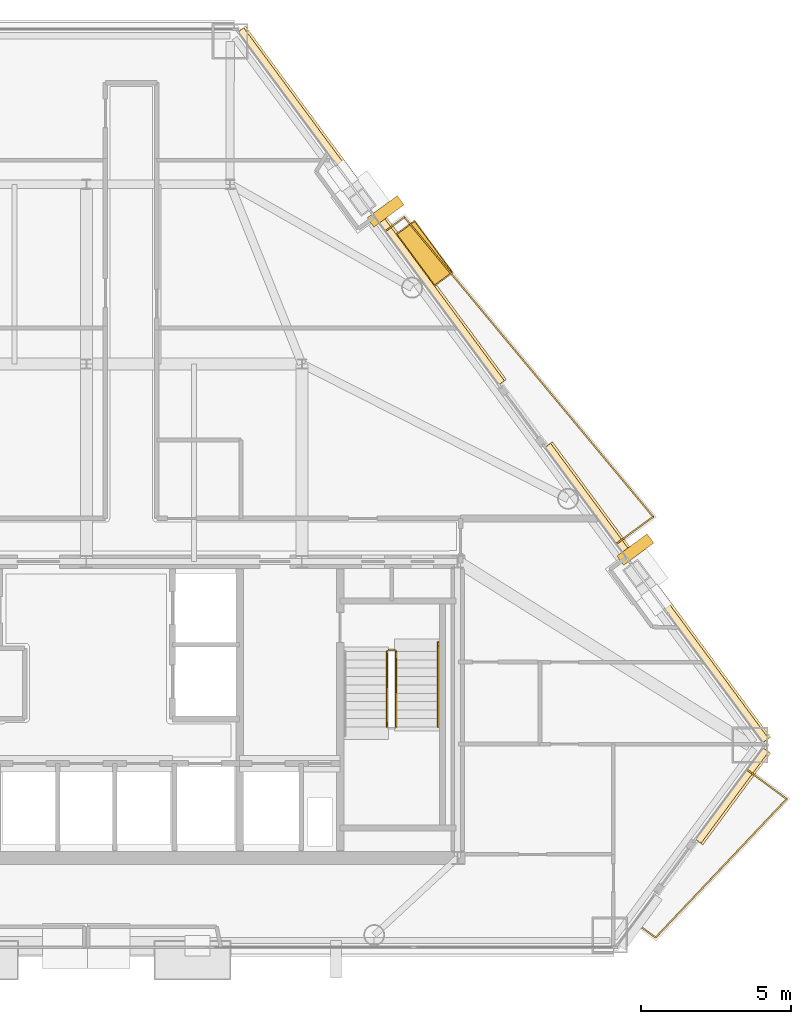
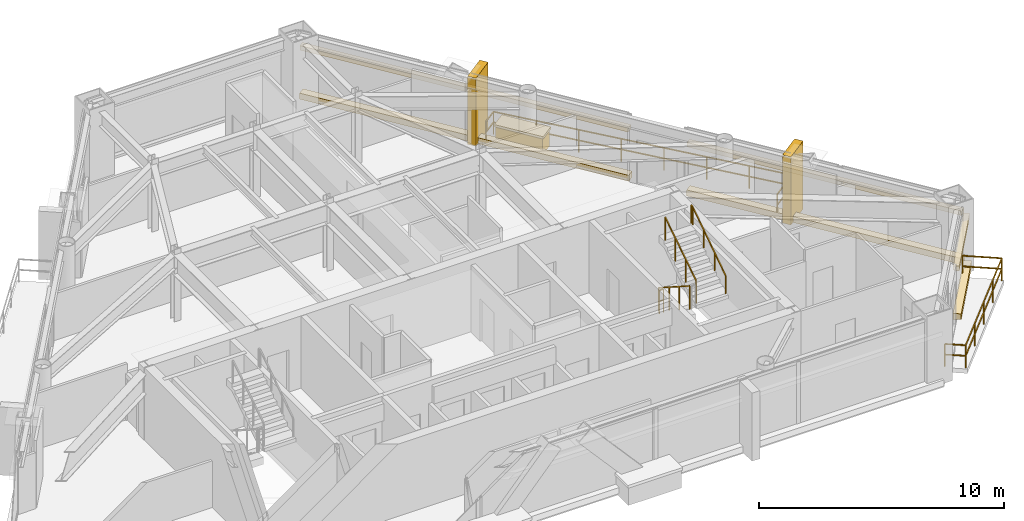
# One storey, part 11 of 11: 10 coverings, 6 railings.
"""IFC4 building model written with IfcOpenShell, lengths in metres."""

from ifc_helpers import new_model, si_unit, direction, frame, origin, origin_2d, place, context, subcontext, project, spatial, rectangle, extrude, material, layer, layer_set, type_object, element, save


model = new_model("IFC4")

# Units and contexts
model_context = context("Model", 3, precision=1e-05, world=origin(), true_north=direction((0.0, 1.0)))
body_context = subcontext(model_context, "Body", "Model", "MODEL_VIEW")
ifc_project = project(units=[si_unit("LENGTHUNIT", "METRE"), si_unit("AREAUNIT", "SQUARE_METRE"), si_unit("VOLUMEUNIT", "CUBIC_METRE"), si_unit("PLANEANGLEUNIT", "RADIAN"), si_unit("MASSUNIT", "GRAM", prefix="KILO")], contexts=[model_context])

# Site, building, storey
site_placement = place(None, origin())
site = spatial("IfcSite", under=ifc_project, at=site_placement, CompositionType="ELEMENT")
building_placement = place(site_placement, origin())
building = spatial("IfcBuilding", under=site, at=building_placement, Name="Talgorran Terracotta Tower", CompositionType="ELEMENT")
storey_placement = place(building_placement, frame((0.0, 0.0, 147.300048828125)))
storey = spatial("IfcBuildingStorey", under=building, at=storey_placement, Name="L38", CompositionType="ELEMENT", Elevation=147.300048828125)

# Coverings
ifc_material_1 = material(Name="Kiln-Fired Terracotta Ochre Ceramic", Category="masonry")
ifc_layer_1 = layer(ifc_material_1, 0.179931640625, Name="COV_BAGUETTE_TERRACOTTA_SCREEN")
ifc_layer_set_1 = layer_set([ifc_layer_1], Name="Kiln-Fired Terracotta Ochre Ceramic")
covering_type_1 = type_object("IfcCoveringType", Name="COV_BAGUETTE_TERRACOTTA_SCREEN", PredefinedType="CLADDING", material=ifc_layer_set_1)
covering_1_placement = place(storey_placement, frame((21.553955078125, -12.00439453125, 2.41015625), z_axis=(0.0, 0.0, 1.0), x_axis=(0.594078945078, 0.804406742274, 0.0)))
element("IfcCovering", 1, at=covering_1_placement, inside=storey, type_object=covering_type_1, Name="L38 Terracotta Baguette Solar Screen Assembly F31", PredefinedType="CLADDING", context=body_context, shape_type="SweptSolid", body=[
    extrude(rectangle(XDim=3.79248046875, YDim=0.260009765625, at=origin_2d()), origin(), (0.0, 0.0, 1.0), 0.219970703125),
])
covering_2_placement = place(storey_placement, frame((19.041748046875, -5.256103515625, 2.41015625), z_axis=(0.0, 0.0, 1.0), x_axis=(-0.594078945078, 0.804406742274, 0.0)))
element("IfcCovering", 2, at=covering_2_placement, inside=storey, type_object=covering_type_1, Name="L38 Terracotta Baguette Solar Screen Assembly F40", PredefinedType="CLADDING", context=body_context, shape_type="SweptSolid", body=[
    extrude(rectangle(XDim=12.25048828125, YDim=0.260009765625, at=origin_2d()), origin(), (0.0, 0.0, 1.0), 0.219970703125),
])
covering_3_placement = place(storey_placement, frame((9.506103515625, 7.65576171875, 2.41015625), z_axis=(0.0, 0.0, 1.0), x_axis=(-0.594078945078, 0.804406742274, 0.0)))
element("IfcCovering", 3, at=covering_3_placement, inside=storey, type_object=covering_type_1, Name="L38 Terracotta Baguette Solar Screen Assembly F41", PredefinedType="CLADDING", context=body_context, shape_type="SweptSolid", body=[
    extrude(rectangle(XDim=14.652099609375, YDim=0.260009765625, at=origin_2d()), origin(), (0.0, 0.0, 1.0), 0.219970703125),
])
ifc_material_2 = material(Name="Honed Limestone and Terracotta Planter", Category="masonry")
ifc_layer_2 = layer(ifc_material_2, 0.1201171875, Name="COV_PLANTER_BOX")
ifc_layer_set_2 = layer_set([ifc_layer_2], Name="Honed Limestone and Terracotta Planter")
covering_type_2 = type_object("IfcCoveringType", Name="COV_PLANTER_BOX", PredefinedType="CLADDING", material=ifc_layer_set_2)
covering_4_placement = place(storey_placement, frame((11.30029296875, 6.099853515625, -0.02001953125), z_axis=(0.0, 0.0, 1.0), x_axis=(-0.594078945078, 0.804406742274, 0.0)))
element("IfcCovering", 4, at=covering_4_placement, inside=storey, type_object=covering_type_2, Name="L38 Staggered Balcony Planter Box BAL-NE", PredefinedType="CLADDING", context=body_context, shape_type="SweptSolid", body=[
    extrude(rectangle(XDim=2.10009765625, YDim=0.719970703125, at=origin_2d()), origin(), (0.0, 0.0, 1.0), 0.860107421875),
])
ifc_material_3 = material(Name="Kiln-Fired Terracotta Planter Rim", Category="masonry")
ifc_layer_3 = layer(ifc_material_3, 0.10009765625, Name="COV_PLANTER_RIM")
ifc_layer_set_3 = layer_set([ifc_layer_3], Name="Kiln-Fired Terracotta Planter Rim")
covering_type_3 = type_object("IfcCoveringType", Name="COV_PLANTER_RIM", PredefinedType="CLADDING", material=ifc_layer_set_3)
covering_5_placement = place(storey_placement, frame((11.30029296875, 6.099853515625, 0.7998046875), z_axis=(0.0, 0.0, 1.0), x_axis=(-0.594078945078, 0.804406742274, 0.0)))
element("IfcCovering", 5, at=covering_5_placement, inside=storey, type_object=covering_type_3, Name="L38 Balcony Planter Terracotta Rim BAL-NE", PredefinedType="CLADDING", context=body_context, shape_type="SweptSolid", body=[
    extrude(rectangle(XDim=2.179931640625, YDim=0.780029296875, at=origin_2d()), origin(), (0.0, 0.0, 1.0), 0.1201171875),
])
ifc_material_4 = material(Name="Honed Limestone Cladding", Category="masonry")
ifc_layer_4 = layer(ifc_material_4, 0.094970703125, Name="COV_PORTAL_LIME")
ifc_layer_set_4 = layer_set([ifc_layer_4], Name="Honed Limestone Cladding")
covering_type_4 = type_object("IfcCoveringType", Name="COV_PORTAL_LIME", PredefinedType="CLADDING", material=ifc_layer_set_4)
covering_6_placement = place(storey_placement, frame((21.586181640625, -12.0283203125, -0.0400390625), z_axis=(0.0, 0.0, 1.0), x_axis=(0.594078945078, 0.804406742274, 0.0)))
element("IfcCovering", 6, at=covering_6_placement, inside=storey, type_object=covering_type_4, Name="L38 Striped Postmodern Portal Cladding Band F31", PredefinedType="CLADDING", context=body_context, shape_type="SweptSolid", body=[
    extrude(rectangle(XDim=3.8125, YDim=0.340087890625, at=origin_2d()), origin(), (0.0, 0.0, 1.0), 0.300048828125),
])
covering_7_placement = place(storey_placement, frame((19.073974609375, -5.232421875, -0.0400390625), z_axis=(0.0, 0.0, 1.0), x_axis=(-0.594078945078, 0.804406742274, 0.0)))
element("IfcCovering", 7, at=covering_7_placement, inside=storey, type_object=covering_type_4, Name="L38 Striped Postmodern Portal Cladding Band F40", PredefinedType="CLADDING", context=body_context, shape_type="SweptSolid", body=[
    extrude(rectangle(XDim=12.2705078125, YDim=0.340087890625, at=origin_2d()), origin(), (0.0, 0.0, 1.0), 0.300048828125),
])
covering_8_placement = place(storey_placement, frame((9.5380859375, 7.679443359375, -0.0400390625), z_axis=(0.0, 0.0, 1.0), x_axis=(-0.594078945078, 0.804406742274, 0.0)))
element("IfcCovering", 8, at=covering_8_placement, inside=storey, type_object=covering_type_4, Name="L38 Striped Postmodern Portal Cladding Band F41", PredefinedType="CLADDING", context=body_context, shape_type="SweptSolid", body=[
    extrude(rectangle(XDim=14.672119140625, YDim=0.340087890625, at=origin_2d()), origin(), (0.0, 0.0, 1.0), 0.300048828125),
])
covering_9_placement = place(storey_placement, frame((9.99658203125, 7.49658203125, -0.050048828125), z_axis=(0.0, 0.0, 1.0), x_axis=(-0.594078945078, 0.804406742274, 0.0)))
element("IfcCovering", 9, at=covering_9_placement, inside=storey, type_object=covering_type_4, Name="L38 White Striped Portal Fin F3-2", PredefinedType="CLADDING", context=body_context, shape_type="SweptSolid", body=[
    extrude(rectangle(XDim=0.3798828125, YDim=1.25, at=origin_2d()), origin(), (0.0, 0.0, 1.0), 3.39990234375),
])
ifc_material_5 = material(Name="Kiln-Fired Terracotta Cladding", Category="masonry")
ifc_layer_5 = layer(ifc_material_5, 0.090087890625, Name="COV_PORTAL_TERRA")
ifc_layer_set_5 = layer_set([ifc_layer_5], Name="Kiln-Fired Terracotta Cladding")
covering_type_5 = type_object("IfcCoveringType", Name="COV_PORTAL_TERRA", PredefinedType="CLADDING", material=ifc_layer_set_5)
covering_10_placement = place(storey_placement, frame((18.337158203125, -3.797119140625, -0.050048828125), z_axis=(0.0, 0.0, 1.0), x_axis=(-0.594078945078, 0.804406742274, 0.0)))
element("IfcCovering", 10, at=covering_10_placement, inside=storey, type_object=covering_type_5, Name="L38 Terracotta Striped Portal Fin F3-1", PredefinedType="CLADDING", context=body_context, shape_type="SweptSolid", body=[
    extrude(rectangle(XDim=0.3798828125, YDim=1.25, at=origin_2d()), origin(), (0.0, 0.0, 1.0), 3.39990234375),
])

# Railings
ifc_material_6 = material(Name="Laminated Glass and Stainless Steel 316", Category="steel")
railing_type_1 = type_object("IfcRailingType", Name="RL_BALCONY_1150", PredefinedType="BALUSTRADE", material=ifc_material_6)
railing_1_placement = place(storey_placement, frame((17.7177734375, -3.59814453125, 0.0)))
element("IfcRailing", 11, at=railing_1_placement, inside=storey, type_object=railing_type_1, Name="RL-L38-BAL-BAL-NE", PredefinedType="BALUSTRADE", context=body_context, shape_type="SweptSolid", body=[
    extrude(rectangle(XDim=0.048095703125, YDim=0.048095703125, at=origin_2d()), frame((0.0, 0.0, 1.1259765625), z_axis=(0.804384508745, 0.594109048989, 0.0), x_axis=(-0.594109048989, 0.804384508745, 0.0)), (0.0, 0.0, 1.0), 1.50927734375),
    extrude(rectangle(XDim=0.048095703125, YDim=0.048095703125, at=origin_2d()), frame((0.0, 0.0, 0.597900390625), z_axis=(0.804384508745, 0.594109048989, 0.0), x_axis=(-0.594109048989, 0.804384508745, 0.0)), (0.0, 0.0, 1.0), 1.50927734375),
    extrude(rectangle(XDim=0.048095703125, YDim=0.048095703125, at=origin_2d()), frame((1.214111328125, 0.896728515625, 1.1259765625), z_axis=(-0.638926047412, 0.769268162567, 0.0), x_axis=(-0.769268162567, -0.638926047412, 0.0)), (0.0, 0.0, 1.0), 13.0048828125),
    extrude(rectangle(XDim=0.048095703125, YDim=0.048095703125, at=origin_2d()), frame((1.214111328125, 0.896728515625, 0.597900390625), z_axis=(-0.638926047412, 0.769268162567, 0.0), x_axis=(-0.769268162567, -0.638926047412, 0.0)), (0.0, 0.0, 1.0), 13.0048828125),
    extrude(rectangle(XDim=0.048095703125, YDim=0.048095703125, at=origin_2d()), frame((-7.094970703125, 10.90087890625, 1.1259765625), z_axis=(-0.804248748568, -0.594292815392, 0.0), x_axis=(0.594292815392, -0.804248748568, 0.0)), (0.0, 0.0, 1.0), 0.7685546875),
    extrude(rectangle(XDim=0.048095703125, YDim=0.048095703125, at=origin_2d()), frame((-7.094970703125, 10.90087890625, 0.597900390625), z_axis=(-0.804248748568, -0.594292815392, 0.0), x_axis=(0.594292815392, -0.804248748568, 0.0)), (0.0, 0.0, 1.0), 0.7685546875),
    extrude(rectangle(XDim=0.0419921875, YDim=0.0419921875, at=origin_2d()), origin(), (0.0, 0.0, 1.0), 1.101806640625),
    extrude(rectangle(XDim=0.0419921875, YDim=0.0419921875, at=origin_2d()), frame((1.214111328125, 0.896728515625, 0.0)), (0.0, 0.0, 1.0), 1.101806640625),
    extrude(rectangle(XDim=0.0419921875, YDim=0.0419921875, at=origin_2d()), frame((0.027099609375, 2.325927734375, 0.0)), (0.0, 0.0, 1.0), 1.101806640625),
    extrude(rectangle(XDim=0.0419921875, YDim=0.0419921875, at=origin_2d()), frame((-1.159912109375, 3.755126953125, 0.0)), (0.0, 0.0, 1.0), 1.101806640625),
    extrude(rectangle(XDim=0.0419921875, YDim=0.0419921875, at=origin_2d()), frame((-2.346923828125, 5.184326171875, 0.0)), (0.0, 0.0, 1.0), 1.101806640625),
    extrude(rectangle(XDim=0.0419921875, YDim=0.0419921875, at=origin_2d()), frame((-3.533935546875, 6.61328125, 0.0)), (0.0, 0.0, 1.0), 1.101806640625),
    extrude(rectangle(XDim=0.0419921875, YDim=0.0419921875, at=origin_2d()), frame((-4.720947265625, 8.04248046875, 0.0)), (0.0, 0.0, 1.0), 1.101806640625),
    extrude(rectangle(XDim=0.0419921875, YDim=0.0419921875, at=origin_2d()), frame((-5.907958984375, 9.4716796875, 0.0)), (0.0, 0.0, 1.0), 1.101806640625),
    extrude(rectangle(XDim=0.0419921875, YDim=0.0419921875, at=origin_2d()), frame((-7.094970703125, 10.90087890625, 0.0)), (0.0, 0.0, 1.0), 1.101806640625),
    extrude(rectangle(XDim=0.0419921875, YDim=0.0419921875, at=origin_2d()), frame((-7.713134765625, 10.444091796875, 0.0)), (0.0, 0.0, 1.0), 1.101806640625),
])
railing_2_placement = place(storey_placement, frame((18.3212890625, -16.2470703125, 0.0)))
element("IfcRailing", 12, at=railing_2_placement, inside=storey, type_object=railing_type_1, Name="RL-L38-BAL-BAL-SE", PredefinedType="BALUSTRADE", context=body_context, shape_type="SweptSolid", body=[
    extrude(rectangle(XDim=0.048095703125, YDim=0.048095703125, at=origin_2d()), frame((0.0, 0.0, 1.1259765625), z_axis=(0.804570853308, -0.593856667898, 0.0), x_axis=(0.593856667898, 0.804570853308, 0.0)), (0.0, 0.0, 1.0), 0.86083984375),
    extrude(rectangle(XDim=0.048095703125, YDim=0.048095703125, at=origin_2d()), frame((0.0, 0.0, 0.597900390625), z_axis=(0.804570853308, -0.593856667898, 0.0), x_axis=(0.593856667898, 0.804570853308, 0.0)), (0.0, 0.0, 1.0), 0.86083984375),
    extrude(rectangle(XDim=0.048095703125, YDim=0.048095703125, at=origin_2d()), frame((0.692626953125, -0.51123046875, 1.1259765625), z_axis=(0.687155579175, 0.726510295872, 0.0), x_axis=(-0.726510295872, 0.687155579175, 0.0)), (0.0, 0.0, 1.0), 6.37109375),
    extrude(rectangle(XDim=0.048095703125, YDim=0.048095703125, at=origin_2d()), frame((0.692626953125, -0.51123046875, 0.597900390625), z_axis=(0.687155579175, 0.726510295872, 0.0), x_axis=(-0.726510295872, 0.687155579175, 0.0)), (0.0, 0.0, 1.0), 6.37109375),
    extrude(rectangle(XDim=0.048095703125, YDim=0.048095703125, at=origin_2d()), frame((5.070556640625, 4.117431640625, 1.1259765625), z_axis=(-0.804374995447, 0.594121929152, 0.0), x_axis=(-0.594121929152, -0.804374995447, 0.0)), (0.0, 0.0, 1.0), 1.632568359375),
    extrude(rectangle(XDim=0.048095703125, YDim=0.048095703125, at=origin_2d()), frame((5.070556640625, 4.117431640625, 0.597900390625), z_axis=(-0.804374995447, 0.594121929152, 0.0), x_axis=(-0.594121929152, -0.804374995447, 0.0)), (0.0, 0.0, 1.0), 1.632568359375),
    extrude(rectangle(XDim=0.0419921875, YDim=0.0419921875, at=origin_2d()), origin(), (0.0, 0.0, 1.0), 1.101806640625),
    extrude(rectangle(XDim=0.0419921875, YDim=0.0419921875, at=origin_2d()), frame((0.692626953125, -0.51123046875, 0.0)), (0.0, 0.0, 1.0), 1.101806640625),
    extrude(rectangle(XDim=0.0419921875, YDim=0.0419921875, at=origin_2d()), frame((1.787109375, 0.64599609375, 0.0)), (0.0, 0.0, 1.0), 1.101806640625),
    extrude(rectangle(XDim=0.0419921875, YDim=0.0419921875, at=origin_2d()), frame((2.881591796875, 1.80322265625, 0.0)), (0.0, 0.0, 1.0), 1.101806640625),
    extrude(rectangle(XDim=0.0419921875, YDim=0.0419921875, at=origin_2d()), frame((3.97607421875, 2.960205078125, 0.0)), (0.0, 0.0, 1.0), 1.101806640625),
    extrude(rectangle(XDim=0.0419921875, YDim=0.0419921875, at=origin_2d()), frame((5.070556640625, 4.117431640625, 0.0)), (0.0, 0.0, 1.0), 1.101806640625),
    extrude(rectangle(XDim=0.0419921875, YDim=0.0419921875, at=origin_2d()), frame((3.75732421875, 5.08740234375, 0.0)), (0.0, 0.0, 1.0), 1.101806640625),
])
ifc_material_7 = material(Name="Steel S355 (300PLUS)", Category="steel")
railing_type_2 = type_object("IfcRailingType", Name="RL_HANDRAIL_920", PredefinedType="HANDRAIL", material=ifc_material_7)
railing_3_placement = place(storey_placement, frame((11.75, -9.719970703125, 1.97998046875)))
element("IfcRailing", 13, at=railing_3_placement, inside=storey, type_object=railing_type_2, Name="L38 ST-02 stair handrail 2", PredefinedType="HANDRAIL", context=body_context, shape_type="SweptSolid", body=[
    extrude(rectangle(XDim=0.048095703125, YDim=0.048095703125, at=origin_2d()), frame((0.0, 0.0, 0.89599609375), z_axis=(0.0, 0.832038719335, 0.554717558338), x_axis=(-1.0, 0.0, 0.0)), (0.0, 0.0, 1.0), 3.244873046875),
    extrude(rectangle(XDim=0.048095703125, YDim=0.048095703125, at=origin_2d()), frame((0.0, 2.699951171875, 2.69580078125), z_axis=(0.0, 1.0, 0.0), x_axis=(-1.0, 0.0, 0.0)), (0.0, 0.0, 1.0), 0.1201171875),
    extrude(rectangle(XDim=0.0419921875, YDim=0.0419921875, at=origin_2d()), origin(), (0.0, 0.0, 1.0), 0.871826171875),
    extrude(rectangle(XDim=0.0419921875, YDim=0.0419921875, at=origin_2d()), frame((0.0, 0.89990234375, 0.60009765625)), (0.0, 0.0, 1.0), 0.871826171875),
    extrude(rectangle(XDim=0.0419921875, YDim=0.0419921875, at=origin_2d()), frame((0.0, 1.800048828125, 1.199951171875)), (0.0, 0.0, 1.0), 0.871826171875),
    extrude(rectangle(XDim=0.0419921875, YDim=0.0419921875, at=origin_2d()), frame((0.0, 2.699951171875, 1.800048828125)), (0.0, 0.0, 1.0), 0.871826171875),
    extrude(rectangle(XDim=0.0419921875, YDim=0.0419921875, at=origin_2d()), frame((0.0, 2.820068359375, 1.800048828125)), (0.0, 0.0, 1.0), 0.871826171875),
])
railing_type_3 = type_object("IfcRailingType", Name="RL_STAIR_GUARD", PredefinedType="GUARDRAIL", material=ifc_material_7)
railing_4_placement = place(storey_placement, frame((10.050048828125, -7.199951171875, 0.179931640625)))
element("IfcRailing", 14, at=railing_4_placement, inside=storey, type_object=railing_type_3, Name="L38 ST-02 stair guard 1", PredefinedType="GUARDRAIL", context=body_context, shape_type="SweptSolid", body=[
    extrude(rectangle(XDim=0.048095703125, YDim=0.048095703125, at=origin_2d()), frame((0.0, 0.0, 1.15576171875), z_axis=(0.0, -0.841162588446, 0.540782303519), x_axis=(1.0, 0.0, 0.0)), (0.0, 0.0, 1.0), 2.995849609375),
    extrude(rectangle(XDim=0.0419921875, YDim=0.0419921875, at=origin_2d()), origin(), (0.0, 0.0, 1.0), 1.1318359375),
    extrude(rectangle(XDim=0.0419921875, YDim=0.0419921875, at=origin_2d()), frame((0.0, -0.840087890625, 0.5400390625)), (0.0, 0.0, 1.0), 1.1318359375),
    extrude(rectangle(XDim=0.0419921875, YDim=0.0419921875, at=origin_2d()), frame((0.0, -1.679931640625, 1.080078125)), (0.0, 0.0, 1.0), 1.1318359375),
    extrude(rectangle(XDim=0.0419921875, YDim=0.0419921875, at=origin_2d()), frame((0.0, -2.52001953125, 1.6201171875)), (0.0, 0.0, 1.0), 1.1318359375),
])
railing_5_placement = place(storey_placement, frame((10.35009765625, -9.719970703125, 1.97998046875)))
element("IfcRailing", 15, at=railing_5_placement, inside=storey, type_object=railing_type_3, Name="L38 ST-02 stair guard 3", PredefinedType="GUARDRAIL", context=body_context, shape_type="SweptSolid", body=[
    extrude(rectangle(XDim=0.048095703125, YDim=0.048095703125, at=origin_2d()), frame((0.0, 0.0, 1.15576171875), z_axis=(0.0, 0.841199657755, 0.540724639528), x_axis=(-1.0, 0.0, 0.0)), (0.0, 0.0, 1.0), 2.995849609375),
    extrude(rectangle(XDim=0.0419921875, YDim=0.0419921875, at=origin_2d()), origin(), (0.0, 0.0, 1.0), 1.1318359375),
    extrude(rectangle(XDim=0.0419921875, YDim=0.0419921875, at=origin_2d()), frame((0.0, 0.840087890625, 0.5400390625)), (0.0, 0.0, 1.0), 1.1318359375),
    extrude(rectangle(XDim=0.0419921875, YDim=0.0419921875, at=origin_2d()), frame((0.0, 1.679931640625, 1.079833984375)), (0.0, 0.0, 1.0), 1.1318359375),
    extrude(rectangle(XDim=0.0419921875, YDim=0.0419921875, at=origin_2d()), frame((0.0, 2.52001953125, 1.619873046875)), (0.0, 0.0, 1.0), 1.1318359375),
])
railing_6_placement = place(storey_placement, frame((10.10009765625, -7.14990234375, 0.0)))
element("IfcRailing", 16, at=railing_6_placement, inside=storey, type_object=railing_type_3, Name="L38 ST-02 stair guard 4", PredefinedType="GUARDRAIL", context=body_context, shape_type="SweptSolid", body=[
    extrude(rectangle(XDim=0.048095703125, YDim=0.048095703125, at=origin_2d()), frame((0.0, 0.0, 1.15576171875), z_axis=(1.0, 0.0, 0.0), x_axis=(0.0, 1.0, 0.0)), (0.0, 0.0, 1.0), 0.199951171875),
    extrude(rectangle(XDim=0.048095703125, YDim=0.048095703125, at=origin_2d()), frame((0.0, 0.0, 0.613525390625), z_axis=(1.0, 0.0, 0.0), x_axis=(0.0, 1.0, 0.0)), (0.0, 0.0, 1.0), 0.199951171875),
    extrude(rectangle(XDim=0.0419921875, YDim=0.0419921875, at=origin_2d()), origin(), (0.0, 0.0, 1.0), 1.1318359375),
    extrude(rectangle(XDim=0.0419921875, YDim=0.0419921875, at=origin_2d()), frame((0.199951171875, 0.0, 0.0)), (0.0, 0.0, 1.0), 1.1318359375),
])

save(model, "model.ifc")
